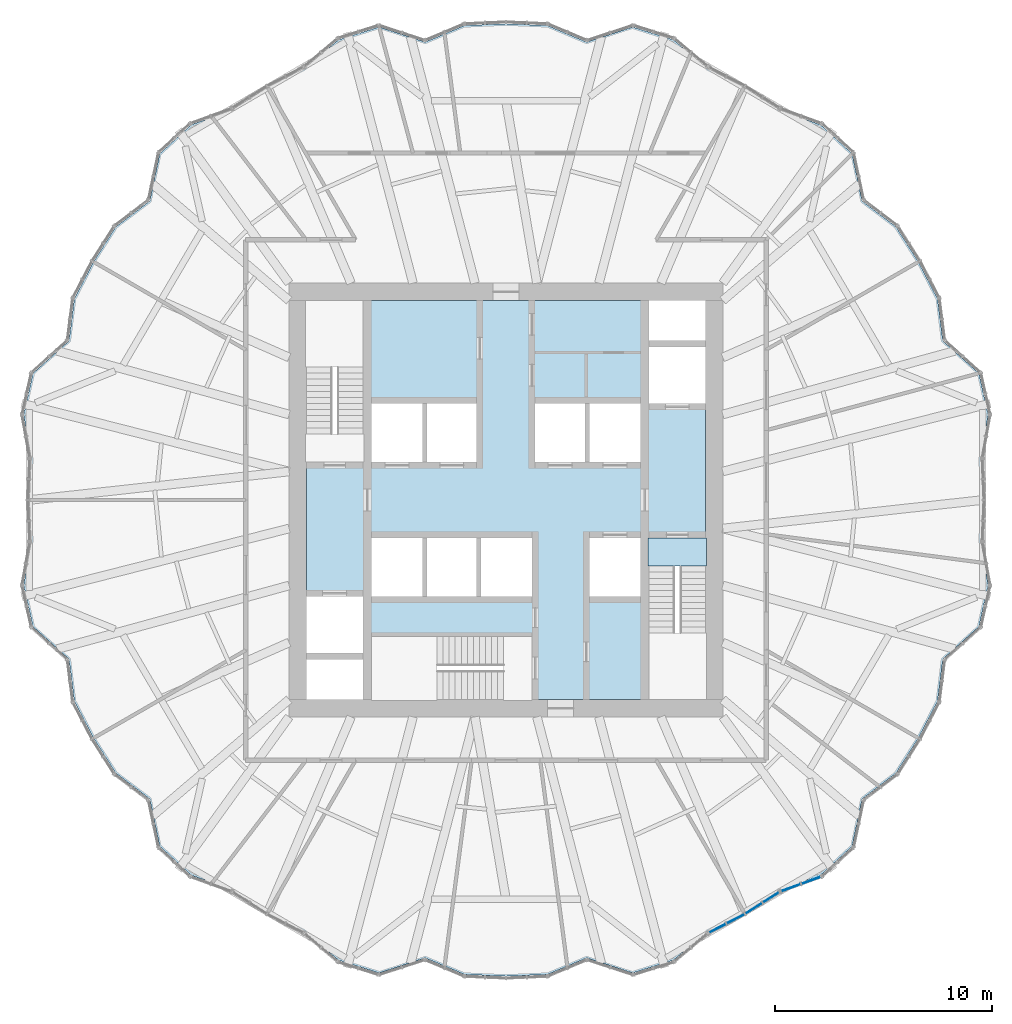
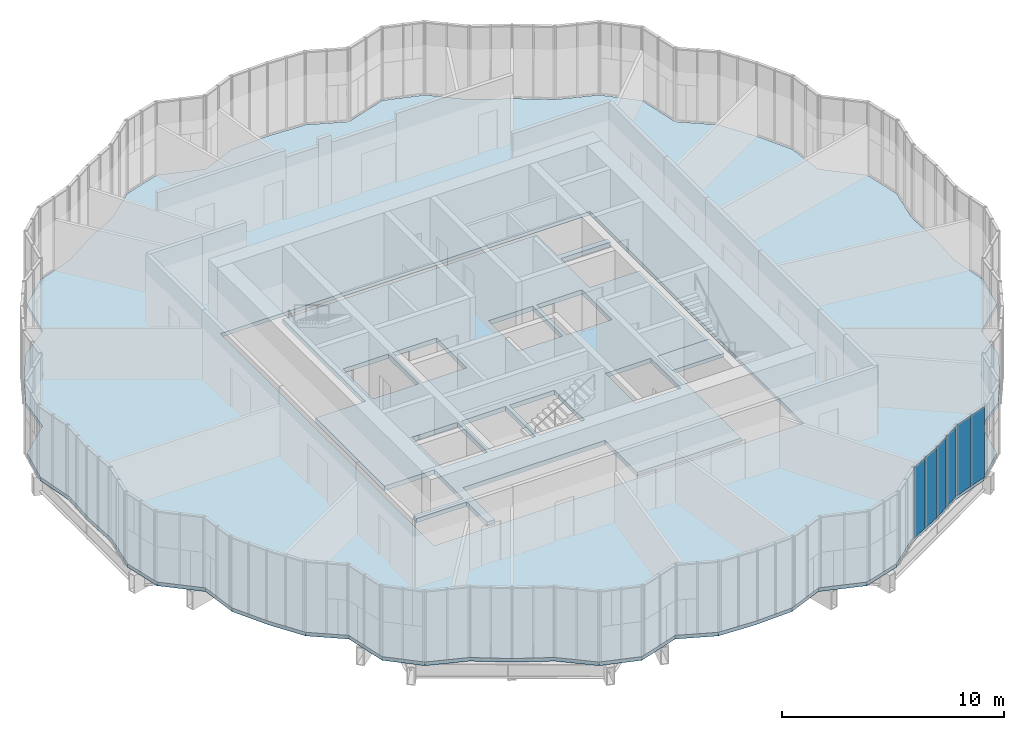
# One storey, part 16 of 23: 6 plates, 3 slabs, 3 elements without a shape of their own.
"""IFC4 building model written with IfcOpenShell, lengths in metres."""

from ifc_helpers import new_model, si_unit, direction, frame, origin, origin_2d, place, context, subcontext, project, spatial, polyline, rectangle, outline, extrude, material, layer, layer_set, type_object, element, aggregate, save


model = new_model("IFC4")

# Units and contexts
model_context = context("Model", 3, precision=1e-05, world=origin(), true_north=direction((0.0, 1.0)))
body_context = subcontext(model_context, "Body", "Model", "MODEL_VIEW")
ifc_project = project(units=[si_unit("LENGTHUNIT", "METRE"), si_unit("AREAUNIT", "SQUARE_METRE"), si_unit("VOLUMEUNIT", "CUBIC_METRE"), si_unit("PLANEANGLEUNIT", "RADIAN"), si_unit("MASSUNIT", "GRAM", prefix="KILO")], contexts=[model_context])

# Site, building, storey
site_placement = place(None, origin())
site = spatial("IfcSite", under=ifc_project, at=site_placement, CompositionType="ELEMENT")
building_placement = place(site_placement, origin())
building = spatial("IfcBuilding", under=site, at=building_placement, Name="Golbaran Civic Tower", CompositionType="ELEMENT")
storey_placement = place(building_placement, frame((0.0, 0.0, 33.0)))
storey = spatial("IfcBuildingStorey", under=building, at=storey_placement, Name="L07", CompositionType="ELEMENT", Elevation=33.0)

# Slabs
ifc_material_1 = material(Name="Concrete LC30/33 lightweight on steel deck", Category="concrete")
ifc_layer_1 = layer(ifc_material_1, 0.199951171875, Name="Concrete LC30/33 lightweight on steel deck")
ifc_layer_set_1 = layer_set([ifc_layer_1], Name="Concrete LC30/33 lightweight on steel deck")
slab_type_1 = type_object("IfcSlabType", Name="COMPOSITE FLOOR SLAB 200", PredefinedType="FLOOR", material=ifc_layer_set_1)
slab_1_placement = place(storey_placement, frame((0.0, 0.0, -0.199951171875)))
element("IfcSlab", 1, at=slab_1_placement, inside=storey, type_object=slab_type_1, Name="Floor slab L07", PredefinedType="FLOOR", context=body_context, shape_type="SweptSolid", body=[
    extrude(outline(polyline([(22.240478515625, -3.921630859375), (21.814208984375, -5.844970703125), (20.1513671875, -7.33447265625), (19.90576171875, -9.2822265625), (19.02099609375, -10.98193359375), (17.99169921875, -12.597900390625), (16.427490234375, -13.784423828125), (15.968994140625, -15.968994140625), (14.5166015625, -17.300048828125), (12.597900390625, -17.99169921875), (10.98193359375, -19.02099609375), (9.2822265625, -19.90576171875), (7.72412109375, -21.2216796875), (5.844970703125, -21.814208984375), (3.723876953125, -21.118896484375), (1.914306640625, -21.880126953125), (0.0, -21.963623046875), (-1.914306640625, -21.880126953125), (-3.723876953125, -21.118896484375), (-5.844970703125, -21.814208984375), (-7.72412109375, -21.2216796875), (-9.2822265625, -19.90576171875), (-10.98193359375, -19.02099609375), (-12.597900390625, -17.99169921875), (-14.5166015625, -17.300048828125), (-15.968994140625, -15.968994140625), (-16.427490234375, -13.784423828125), (-17.99169921875, -12.597900390625), (-19.02099609375, -10.98193359375), (-19.90576171875, -9.2822265625), (-20.1513671875, -7.33447265625), (-21.814208984375, -5.844970703125), (-22.240478515625, -3.921630859375), (-21.880126953125, -1.914306640625), (-21.963623046875, 0.0), (-21.880126953125, 1.914306640625), (-22.240478515625, 3.921630859375), (-21.814208984375, 5.844970703125), (-20.1513671875, 7.33447265625), (-19.90576171875, 9.2822265625), (-19.02099609375, 10.98193359375), (-17.99169921875, 12.597900390625), (-16.427490234375, 13.784423828125), (-15.968994140625, 15.968994140625), (-14.5166015625, 17.300048828125), (-12.597900390625, 17.99169921875), (-10.98193359375, 19.02099609375), (-9.2822265625, 19.90576171875), (-7.72412109375, 21.2216796875), (-5.844970703125, 21.814208984375), (-3.723876953125, 21.118896484375), (-1.914306640625, 21.880126953125), (0.0, 21.963623046875), (1.914306640625, 21.880126953125), (3.723876953125, 21.118896484375), (5.844970703125, 21.814208984375), (7.72412109375, 21.2216796875), (9.2822265625, 19.90576171875), (10.98193359375, 19.02099609375), (12.597900390625, 17.99169921875), (14.5166015625, 17.300048828125), (15.968994140625, 15.968994140625), (16.427490234375, 13.784423828125), (17.99169921875, 12.597900390625), (19.02099609375, 10.98193359375), (19.90576171875, 9.2822265625), (20.1513671875, 7.33447265625), (21.814208984375, 5.844970703125), (22.240478515625, 3.921630859375), (21.880126953125, 1.914306640625), (21.963623046875, 0.0), (21.880126953125, -1.914306640625), (22.240478515625, -3.921630859375)]), holes=[polyline([(-9.60009765625, 9.60009765625), (-9.60009765625, -9.60009765625), (9.60009765625, -9.60009765625), (9.60009765625, 9.60009765625), (-9.60009765625, 9.60009765625)])]), origin(), (0.0, 0.0, 1.0), 0.199951171875),
])
ifc_material_2 = material(Name="Concrete C35/45", Category="concrete")
ifc_layer_2 = layer(ifc_material_2, 0.25, Name="Concrete C35/45")
ifc_layer_set_2 = layer_set([ifc_layer_2], Name="Concrete C35/45")
slab_type_2 = type_object("IfcSlabType", Name="CORE FLOOR SLAB 250", PredefinedType="FLOOR", material=ifc_layer_set_2)
slab_2_placement = place(storey_placement, frame((0.0, 0.0, -0.25)))
element("IfcSlab", 2, at=slab_2_placement, inside=storey, type_object=slab_type_2, Name="Core floor slab L07", PredefinedType="FLOOR", context=body_context, shape_type="SweptSolid", body=[
    extrude(outline(polyline([(6.60009765625, -1.75), (6.60009765625, -9.199951171875), (1.199951171875, -9.199951171875), (1.199951171875, -6.300048828125), (-6.199951171875, -6.300048828125), (-6.199951171875, -9.199951171875), (-6.60009765625, -9.199951171875), (-6.60009765625, -7.35009765625), (-9.199951171875, -7.35009765625), (-9.199951171875, -7.050048828125), (-6.60009765625, -7.050048828125), (-6.60009765625, -4.449951171875), (-9.199951171875, -4.449951171875), (-9.199951171875, 1.75), (-6.60009765625, 1.75), (-6.60009765625, 9.199951171875), (6.60009765625, 9.199951171875), (6.60009765625, 7.35009765625), (9.199951171875, 7.35009765625), (9.199951171875, 7.050048828125), (6.60009765625, 7.050048828125), (6.60009765625, 4.449951171875), (9.199951171875, 4.449951171875), (9.199951171875, -1.75), (6.60009765625, -1.75)]), holes=[polyline([(6.199951171875, -1.75), (3.85009765625, -1.75), (3.85009765625, -4.449951171875), (6.199951171875, -4.449951171875), (6.199951171875, -1.75)]), polyline([(6.199951171875, 4.449951171875), (3.85009765625, 4.449951171875), (3.85009765625, 1.75), (6.199951171875, 1.75), (6.199951171875, 4.449951171875)]), polyline([(3.64990234375, 4.449951171875), (1.35009765625, 4.449951171875), (1.35009765625, 1.75), (3.64990234375, 1.75), (3.64990234375, 4.449951171875)]), polyline([(1.199951171875, -1.75), (-1.14990234375, -1.75), (-1.14990234375, -4.449951171875), (1.199951171875, -4.449951171875), (1.199951171875, -1.75)]), polyline([(-1.35009765625, 4.449951171875), (-3.64990234375, 4.449951171875), (-3.64990234375, 1.75), (-1.35009765625, 1.75), (-1.35009765625, 4.449951171875)]), polyline([(-1.35009765625, -1.75), (-3.64990234375, -1.75), (-3.64990234375, -4.449951171875), (-1.35009765625, -4.449951171875), (-1.35009765625, -1.75)]), polyline([(-3.85009765625, -1.75), (-6.199951171875, -1.75), (-6.199951171875, -4.449951171875), (-3.85009765625, -4.449951171875), (-3.85009765625, -1.75)]), polyline([(-3.85009765625, 4.449951171875), (-6.199951171875, 4.449951171875), (-6.199951171875, 1.75), (-3.85009765625, 1.75), (-3.85009765625, 4.449951171875)])]), origin(), (0.0, 0.0, 1.0), 0.25),
])

# Curtain wall, plates
ifc_material_3 = material(Name="Aluminium and glass", Category="aluminium")
curtain_wall_type = type_object("IfcCurtainWallType", Name="INNER SKIN CURTAIN WALL", PredefinedType="NOTDEFINED", material=ifc_material_3)
curtain_wall_1_placement = place(storey_placement, origin())
curtain_wall_1 = element("IfcCurtainWall", 3, at=curtain_wall_1_placement, inside=storey, type_object=curtain_wall_type, Name="Inner skin L07 facet 60 CW1", ObjectType="INNER SKIN", PredefinedType="USERDEFINED")
ifc_material_4 = material(Name="Clear insulating glass", Category="glass")
ifc_layer_3 = layer(ifc_material_4, 0.031982421875, Name="Clear insulating glass")
ifc_layer_set_3 = layer_set([ifc_layer_3], Name="Clear insulating glass")
plate_type = type_object("IfcPlateType", Name="INNER SKIN CURTAIN WALL GLAZED PANEL", PredefinedType="CURTAIN_PANEL", material=ifc_layer_set_3)
plate_1_placement = place(storey_placement, frame((9.757568359375, -19.75, 0.06494140625), z_axis=(0.0, 0.0, 1.0), x_axis=(0.887010833146, 0.461748613297, 0.0)))
plate_1 = element("IfcPlate", 4, at=plate_1_placement, type_object=plate_type, Name="CW1 panel 1.1", PredefinedType="CURTAIN_PANEL", context=body_context, shape_type="SweptSolid", body=[
    extrude(rectangle(XDim=0.864013671875, YDim=0.031982421875, at=origin_2d()), origin(), (0.0, 0.0, 1.0), 3.8701171875),
])
plate_2_placement = place(storey_placement, frame((10.595947265625, -19.3134765625, 0.06494140625), z_axis=(0.0, 0.0, 1.0), x_axis=(0.887010833146, 0.461748613297, 0.0)))
plate_2 = element("IfcPlate", 5, at=plate_2_placement, type_object=plate_type, Name="CW1 panel 2.1", PredefinedType="CURTAIN_PANEL", context=body_context, shape_type="SweptSolid", body=[
    extrude(rectangle(XDim=0.896484375, YDim=0.031982421875, at=origin_2d()), origin(), (0.0, 0.0, 1.0), 3.8701171875),
])
aggregate(curtain_wall_1, [plate_1, plate_2])

curtain_wall_2_placement = place(storey_placement, origin())
curtain_wall_2 = element("IfcCurtainWall", 6, at=curtain_wall_2_placement, inside=storey, type_object=curtain_wall_type, Name="Inner skin L07 facet 61 CW1", ObjectType="INNER SKIN", PredefinedType="USERDEFINED")
plate_3_placement = place(storey_placement, frame((11.427978515625, -18.833251953125, 0.06494140625), z_axis=(0.0, 0.0, 1.0), x_axis=(0.843391445775, 0.537299608406, 0.0)))
plate_3 = element("IfcPlate", 7, at=plate_3_placement, type_object=plate_type, Name="CW1 panel 1.1", PredefinedType="CURTAIN_PANEL", context=body_context, shape_type="SweptSolid", body=[
    extrude(rectangle(XDim=0.896484375, YDim=0.031982421875, at=origin_2d()), origin(), (0.0, 0.0, 1.0), 3.8701171875),
])
plate_4_placement = place(storey_placement, frame((12.225341796875, -18.3251953125, 0.06494140625), z_axis=(0.0, 0.0, 1.0), x_axis=(0.843391445775, 0.537299608406, 0.0)))
plate_4 = element("IfcPlate", 8, at=plate_4_placement, type_object=plate_type, Name="CW1 panel 2.1", PredefinedType="CURTAIN_PANEL", context=body_context, shape_type="SweptSolid", body=[
    extrude(rectangle(XDim=0.864013671875, YDim=0.031982421875, at=origin_2d()), origin(), (0.0, 0.0, 1.0), 3.8701171875),
])
aggregate(curtain_wall_2, [plate_3, plate_4])

curtain_wall_3_placement = place(storey_placement, origin())
curtain_wall_3 = element("IfcCurtainWall", 9, at=curtain_wall_3_placement, inside=storey, type_object=curtain_wall_type, Name="Inner skin L07 facet 62 CW1", ObjectType="INNER SKIN", PredefinedType="USERDEFINED")
plate_5_placement = place(storey_placement, frame((13.140869140625, -17.878662109375, 0.06494140625), z_axis=(0.0, 0.0, 1.0), x_axis=(0.940409013239, 0.340045420228, 0.0)))
plate_5 = element("IfcPlate", 10, at=plate_5_placement, type_object=plate_type, Name="CW1 panel 1.1", PredefinedType="CURTAIN_PANEL", context=body_context, shape_type="SweptSolid", body=[
    extrude(rectangle(XDim=0.925537109375, YDim=0.031982421875, at=origin_2d()), origin(), (0.0, 0.0, 1.0), 3.8701171875),
])
plate_6_placement = place(storey_placement, frame((14.072509765625, -17.5419921875, 0.06494140625), z_axis=(0.0, 0.0, 1.0), x_axis=(0.940409013239, 0.340045420228, 0.0)))
plate_6 = element("IfcPlate", 11, at=plate_6_placement, type_object=plate_type, Name="CW1 panel 2.1", PredefinedType="CURTAIN_PANEL", context=body_context, shape_type="SweptSolid", body=[
    extrude(rectangle(XDim=0.925537109375, YDim=0.031982421875, at=origin_2d()), origin(), (0.0, 0.0, 1.0), 3.8701171875),
])
aggregate(curtain_wall_3, [plate_5, plate_6])

# Slab
ifc_layer_4 = layer(ifc_material_2, 0.199951171875, Name="Concrete C35/45")
ifc_layer_set_4 = layer_set([ifc_layer_4], Name="Concrete C35/45")
slab_type_3 = type_object("IfcSlabType", Name="STAIR LANDING 200", PredefinedType="LANDING", material=ifc_layer_set_4)
slab_3_placement = place(storey_placement, frame((0.0, 0.0, -0.199951171875)))
element("IfcSlab", 12, at=slab_3_placement, inside=storey, type_object=slab_type_3, Name="Stair S2 floor landing L07", PredefinedType="LANDING", context=body_context, shape_type="SweptSolid", body=[
    extrude(outline(polyline([(9.25, -1.75), (9.25, -3.054931640625), (6.550048828125, -3.054931640625), (6.550048828125, -1.75), (9.25, -1.75)])), origin(), (0.0, 0.0, 1.0), 0.199951171875),
])

save(model, "model.ifc")
